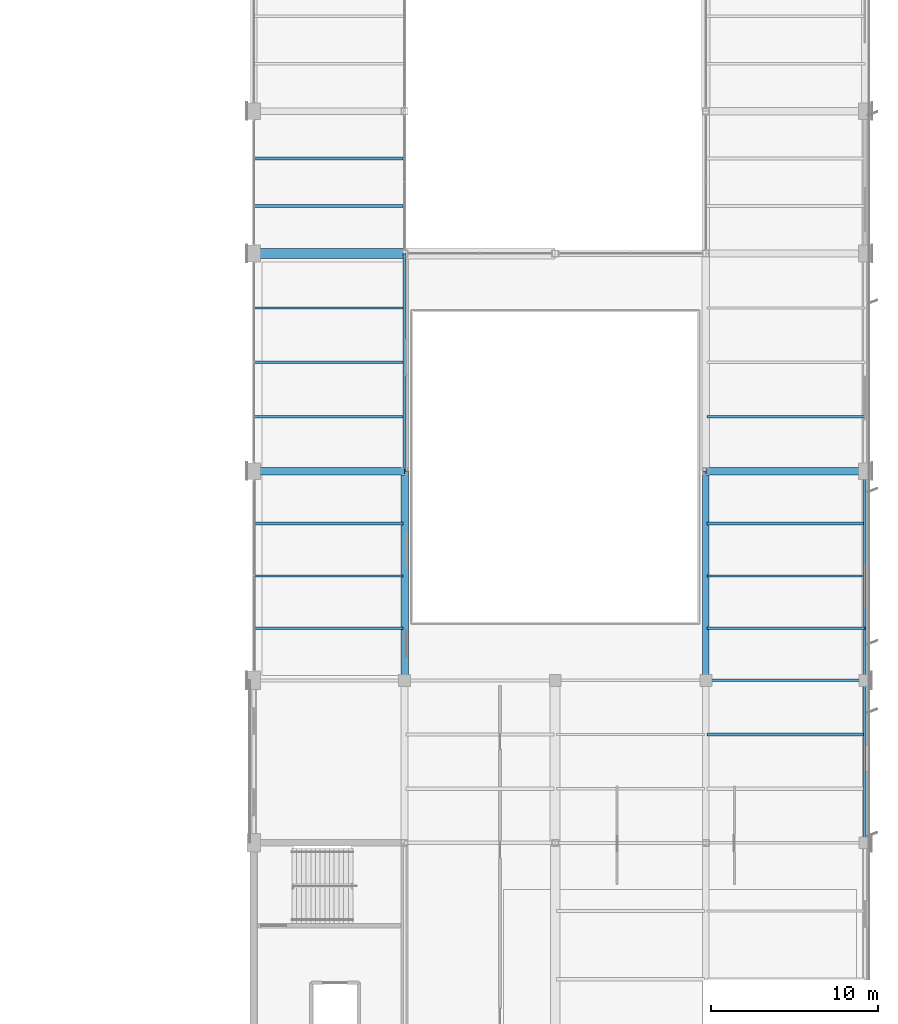
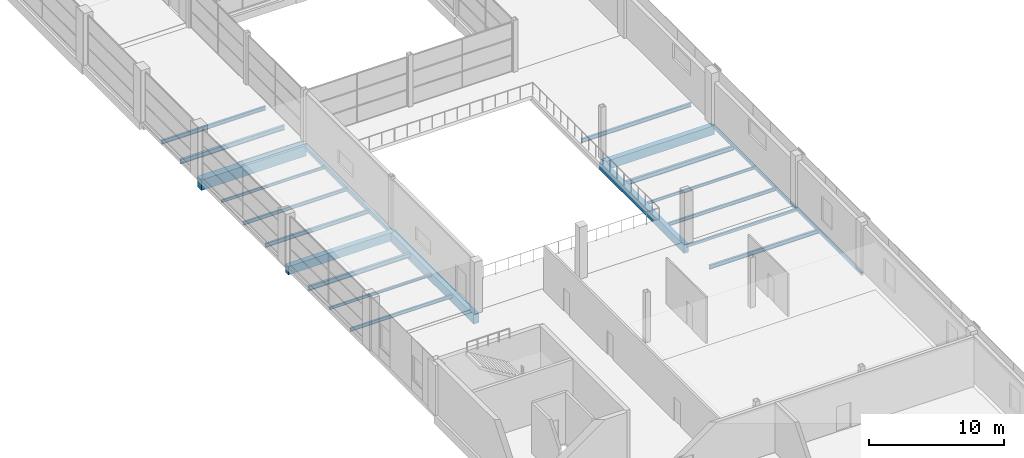
# One storey, part 64 of 112: 22 beams.
"""IFC4 building model written with IfcOpenShell, lengths in metres."""

from ifc_helpers import new_model, si_unit, direction, frame, origin, origin_2d, place, context, subcontext, project, spatial, rectangle, hollow_rectangle, i_section, extrude, material, material_profile, profile_set, type_object, element, save


model = new_model("IFC4")

# Units and contexts
model_context = context("Model", 3, precision=1e-05, world=origin(), true_north=direction((0.0, 1.0)))
body_context = subcontext(model_context, "Body", "Model", "MODEL_VIEW")
ifc_project = project(units=[si_unit("LENGTHUNIT", "METRE"), si_unit("AREAUNIT", "SQUARE_METRE"), si_unit("VOLUMEUNIT", "CUBIC_METRE"), si_unit("PLANEANGLEUNIT", "RADIAN"), si_unit("MASSUNIT", "GRAM", prefix="KILO")], contexts=[model_context])

# Site, building, storey
site_placement = place(None, origin())
site = spatial("IfcSite", under=ifc_project, at=site_placement, CompositionType="ELEMENT")
building_placement = place(site_placement, origin())
building = spatial("IfcBuilding", under=site, at=building_placement, Name="Solvikara Media Centre", CompositionType="ELEMENT")
storey_placement = place(building_placement, frame((0.0, 0.0, 5.39990234375)))
storey = spatial("IfcBuildingStorey", under=building, at=storey_placement, Name="L01", CompositionType="ELEMENT", Elevation=5.39990234375)

# Beams
ifc_material_1 = material(Name="Concrete fc' 35 MPa (C35/45)", Category="concrete")
ifc_material_profile_1 = material_profile(ifc_material_1, rectangle(XDim=0.39990234375, YDim=0.75, at=origin_2d()), Name="RC 400x750")
ifc_profile_set_1 = profile_set([ifc_material_profile_1], Name="Concrete fc' 35 MPa (C35/45)")
beam_type_1 = type_object("IfcBeamType", Name="BM-04", PredefinedType="BEAM", material=ifc_profile_set_1)
beam_1_placement = place(storey_placement, frame((154.5, 46.5, -0.6748046875), z_axis=(0.0, 1.0, 0.0), x_axis=(-1.0, 0.0, 0.0)))
element("IfcBeam", 1, at=beam_1_placement, inside=storey, type_object=beam_type_1, Name="B-L01-Y0628", PredefinedType="BEAM", context=body_context, shape_type="SweptSolid", body=[
    extrude(rectangle(XDim=0.39990234375, YDim=0.75, at=origin_2d()), origin(), (0.0, 0.0, 1.0), 12.5),
])
ifc_material_profile_2 = material_profile(ifc_material_1, rectangle(XDim=0.449951171875, YDim=0.75, at=origin_2d()), Name="RC 450x750")
ifc_profile_set_2 = profile_set([ifc_material_profile_2], Name="Concrete fc' 35 MPa (C35/45)")
beam_type_2 = type_object("IfcBeamType", Name="BM-05", PredefinedType="BEAM", material=ifc_profile_set_2)
beam_2_placement = place(storey_placement, frame((127.5, 59.0, -0.6748046875), z_axis=(1.0, 0.0, 0.0), x_axis=(0.0, 1.0, 0.0)))
element("IfcBeam", 2, at=beam_2_placement, inside=storey, type_object=beam_type_2, Name="B-L01-X0497", PredefinedType="BEAM", context=body_context, shape_type="SweptSolid", body=[
    extrude(rectangle(XDim=0.449951171875, YDim=0.75, at=origin_2d()), origin(), (0.0, 0.0, 1.0), 9.0),
])
ifc_material_profile_3 = material_profile(ifc_material_1, rectangle(XDim=0.449951171875, YDim=0.800048828125, at=origin_2d()), Name="RC 450x800")
ifc_profile_set_3 = profile_set([ifc_material_profile_3], Name="Concrete fc' 35 MPa (C35/45)")
beam_type_3 = type_object("IfcBeamType", Name="BM-06", PredefinedType="BEAM", material=ifc_profile_set_3)
beam_3_placement = place(storey_placement, frame((154.5, 59.0, -0.699951171875), z_axis=(1.0, 0.0, 0.0), x_axis=(0.0, 1.0, 0.0)))
element("IfcBeam", 3, at=beam_3_placement, inside=storey, type_object=beam_type_3, Name="B-L01-X0498", PredefinedType="BEAM", context=body_context, shape_type="SweptSolid", body=[
    extrude(rectangle(XDim=0.449951171875, YDim=0.800048828125, at=origin_2d()), origin(), (0.0, 0.0, 1.0), 9.5),
])
ifc_material_2 = material(Name="Concrete fc' 45 MPa (C45/55)", Category="concrete")
ifc_material_profile_4 = material_profile(ifc_material_2, rectangle(XDim=0.60009765625, YDim=0.949951171875, at=origin_2d()), Name="RC 600x950")
ifc_profile_set_4 = profile_set([ifc_material_profile_4], Name="Concrete fc' 45 MPa (C45/55)")
beam_type_4 = type_object("IfcBeamType", Name="BM-11", PredefinedType="BEAM", material=ifc_profile_set_4)
beam_4_placement = place(storey_placement, frame((127.5, 72.0, -0.77490234375), z_axis=(1.0, 0.0, 0.0), x_axis=(0.0, 1.0, 0.0)))
element("IfcBeam", 4, at=beam_4_placement, inside=storey, type_object=beam_type_4, Name="B-L01-X0503", PredefinedType="BEAM", context=body_context, shape_type="SweptSolid", body=[
    extrude(rectangle(XDim=0.60009765625, YDim=0.949951171875, at=origin_2d()), origin(), (0.0, 0.0, 1.0), 9.0),
])
ifc_material_profile_5 = material_profile(ifc_material_1, rectangle(XDim=0.449951171875, YDim=0.85009765625, at=origin_2d()), Name="RC 450x850")
ifc_profile_set_5 = profile_set([ifc_material_profile_5], Name="Concrete fc' 35 MPa (C35/45)")
beam_type_5 = type_object("IfcBeamType", Name="BM-14", PredefinedType="SPANDREL", material=ifc_profile_set_5)
beam_5_placement = place(storey_placement, frame((136.5, 46.5, -0.724853515625), z_axis=(0.0, 1.0, 0.0), x_axis=(-1.0, 0.0, 0.0)))
element("IfcBeam", 5, at=beam_5_placement, inside=storey, type_object=beam_type_5, Name="B-L01-Y0614", PredefinedType="SPANDREL", context=body_context, shape_type="SweptSolid", body=[
    extrude(rectangle(XDim=0.449951171875, YDim=0.85009765625, at=origin_2d()), origin(), (0.0, 0.0, 1.0), 12.5),
])
ifc_material_3 = material(Name="Steel S355JR", Category="steel")
ifc_material_profile_6 = material_profile(ifc_material_3, i_section(OverallWidth=0.199951171875, OverallDepth=0.39990234375, WebThickness=0.008056640625, FlangeThickness=0.012939453125, at=origin_2d()), Name="WF 400x200x8x13")
ifc_profile_set_6 = profile_set([ifc_material_profile_6], Name="Steel S355JR")
beam_type_6 = type_object("IfcBeamType", Name="BM-21", PredefinedType="JOIST", material=ifc_profile_set_6)
beam_6_placement = place(storey_placement, frame((127.5, 74.8330078125, -0.501953125), z_axis=(1.0, 0.0, 0.0), x_axis=(0.0, 1.0, 0.0)))
element("IfcBeam", 6, at=beam_6_placement, inside=storey, type_object=beam_type_6, Name="J-L01-0769", PredefinedType="JOIST", context=body_context, shape_type="SweptSolid", body=[
    extrude(i_section(OverallWidth=0.199951171875, OverallDepth=0.39990234375, WebThickness=0.008056640625, FlangeThickness=0.012939453125, at=origin_2d()), origin(), (0.0, 0.0, 1.0), 8.922119140625),
])
ifc_material_profile_7 = material_profile(ifc_material_3, i_section(OverallWidth=0.175048828125, OverallDepth=0.35009765625, WebThickness=0.007080078125, FlangeThickness=0.010986328125, at=origin_2d()), Name="WF 350x175x7x11")
ifc_profile_set_7 = profile_set([ifc_material_profile_7], Name="Steel S355JR")
beam_type_7 = type_object("IfcBeamType", Name="BM-22", PredefinedType="JOIST", material=ifc_profile_set_7)
beam_7_placement = place(storey_placement, frame((127.5, 77.6669921875, -0.476806640625), z_axis=(1.0, 0.0, 0.0), x_axis=(0.0, 1.0, 0.0)))
element("IfcBeam", 7, at=beam_7_placement, inside=storey, type_object=beam_type_7, Name="J-L01-0770", PredefinedType="JOIST", context=body_context, shape_type="SweptSolid", body=[
    extrude(i_section(OverallWidth=0.175048828125, OverallDepth=0.35009765625, WebThickness=0.007080078125, FlangeThickness=0.010986328125, at=origin_2d()), origin(), (0.0, 0.0, 1.0), 8.922119140625),
])
beam_8_placement = place(storey_placement, frame((154.577880859375, 43.26708984375, -0.4169921875), z_axis=(1.0, 0.0, 0.0), x_axis=(0.0, 1.0, 0.0)))
element("IfcBeam", 8, at=beam_8_placement, inside=storey, type_object=beam_type_7, Name="J-L01-0802", PredefinedType="JOIST", context=body_context, shape_type="SweptSolid", body=[
    extrude(i_section(OverallWidth=0.175048828125, OverallDepth=0.35009765625, WebThickness=0.007080078125, FlangeThickness=0.010986328125, at=origin_2d()), origin(), (0.0, 0.0, 1.0), 9.422119140625),
])
ifc_material_profile_8 = material_profile(ifc_material_3, i_section(OverallWidth=0.14990234375, OverallDepth=0.300048828125, WebThickness=0.006591796875, FlangeThickness=0.009033203125, at=origin_2d()), Name="WF 300x150x6.5x9")
ifc_profile_set_8 = profile_set([ifc_material_profile_8], Name="Steel S355JR")
beam_type_8 = type_object("IfcBeamType", Name="BM-23", PredefinedType="JOIST", material=ifc_profile_set_8)
beam_9_placement = place(storey_placement, frame((127.5, 49.625, -0.451904296875), z_axis=(1.0, 0.0, 0.0), x_axis=(0.0, 1.0, 0.0)))
element("IfcBeam", 9, at=beam_9_placement, inside=storey, type_object=beam_type_8, Name="J-L01-0763", PredefinedType="JOIST", context=body_context, shape_type="SweptSolid", body=[
    extrude(i_section(OverallWidth=0.14990234375, OverallDepth=0.300048828125, WebThickness=0.006591796875, FlangeThickness=0.009033203125, at=origin_2d()), origin(), (0.0, 0.0, 1.0), 8.922119140625),
])
beam_10_placement = place(storey_placement, frame((154.577880859375, 49.625, -0.451904296875), z_axis=(1.0, 0.0, 0.0), x_axis=(0.0, 1.0, 0.0)))
element("IfcBeam", 10, at=beam_10_placement, inside=storey, type_object=beam_type_8, Name="J-L01-0803", PredefinedType="JOIST", context=body_context, shape_type="SweptSolid", body=[
    extrude(i_section(OverallWidth=0.14990234375, OverallDepth=0.300048828125, WebThickness=0.006591796875, FlangeThickness=0.009033203125, at=origin_2d()), origin(), (0.0, 0.0, 1.0), 9.422119140625),
])
ifc_material_profile_9 = material_profile(ifc_material_3, i_section(OverallWidth=0.125, OverallDepth=0.25, WebThickness=0.006103515625, FlangeThickness=0.009033203125, at=origin_2d()), Name="WF 250x125x6x9")
ifc_profile_set_9 = profile_set([ifc_material_profile_9], Name="Steel S355JR")
beam_type_9 = type_object("IfcBeamType", Name="BM-24", PredefinedType="JOIST", material=ifc_profile_set_9)
beam_11_placement = place(storey_placement, frame((127.5, 52.75, -0.427001953125), z_axis=(1.0, 0.0, 0.0), x_axis=(0.0, 1.0, 0.0)))
element("IfcBeam", 11, at=beam_11_placement, inside=storey, type_object=beam_type_9, Name="J-L01-0764", PredefinedType="JOIST", context=body_context, shape_type="SweptSolid", body=[
    extrude(i_section(OverallWidth=0.125, OverallDepth=0.25, WebThickness=0.006103515625, FlangeThickness=0.009033203125, at=origin_2d()), origin(), (0.0, 0.0, 1.0), 8.922119140625),
])
beam_12_placement = place(storey_placement, frame((154.577880859375, 52.75, -0.427001953125), z_axis=(1.0, 0.0, 0.0), x_axis=(0.0, 1.0, 0.0)))
element("IfcBeam", 12, at=beam_12_placement, inside=storey, type_object=beam_type_9, Name="J-L01-0804", PredefinedType="JOIST", context=body_context, shape_type="SweptSolid", body=[
    extrude(i_section(OverallWidth=0.125, OverallDepth=0.25, WebThickness=0.006103515625, FlangeThickness=0.009033203125, at=origin_2d()), origin(), (0.0, 0.0, 1.0), 9.422119140625),
])
ifc_material_profile_10 = material_profile(ifc_material_3, hollow_rectangle(XDim=0.199951171875, YDim=0.39990234375, WallThickness=0.011962890625, at=origin_2d()), Name="RHS 400x200x12")
ifc_profile_set_10 = profile_set([ifc_material_profile_10], Name="Steel S355JR")
beam_type_10 = type_object("IfcBeamType", Name="BM-33", PredefinedType="SPANDREL", material=ifc_profile_set_10)
beam_13_placement = place(storey_placement, frame((136.5, 59.0, -0.501953125), z_axis=(0.0, 1.0, 0.0), x_axis=(-1.0, 0.0, 0.0)))
element("IfcBeam", 13, at=beam_13_placement, inside=storey, type_object=beam_type_10, Name="B-L01-Y0615", PredefinedType="SPANDREL", context=body_context, shape_type="SweptSolid", body=[
    extrude(hollow_rectangle(XDim=0.199951171875, YDim=0.39990234375, WallThickness=0.011962890625, at=origin_2d()), origin(), (0.0, 0.0, 1.0), 13.0),
])
ifc_material_profile_11 = material_profile(ifc_material_3, hollow_rectangle(XDim=0.14990234375, YDim=0.300048828125, WallThickness=0.010009765625, at=origin_2d()), Name="RHS 300x150x10")
ifc_profile_set_11 = profile_set([ifc_material_profile_11], Name="Steel S355JR")
beam_type_11 = type_object("IfcBeamType", Name="BM-35", PredefinedType="BEAM", material=ifc_profile_set_11)
beam_14_placement = place(storey_placement, frame((164.0, 36.800048828125, -0.391845703125), z_axis=(0.0, 1.0, 0.0), x_axis=(-1.0, 0.0, 0.0)))
element("IfcBeam", 14, at=beam_14_placement, inside=storey, type_object=beam_type_11, Name="B-L01-Y0637", PredefinedType="BEAM", context=body_context, shape_type="SweptSolid", body=[
    extrude(hollow_rectangle(XDim=0.14990234375, YDim=0.300048828125, WallThickness=0.010009765625, at=origin_2d()), origin(), (0.0, 0.0, 1.0), 9.699951171875),
])
ifc_material_profile_12 = material_profile(ifc_material_3, hollow_rectangle(XDim=0.14990234375, YDim=0.25, WallThickness=0.008056640625, at=origin_2d()), Name="RHS 250x150x8")
ifc_profile_set_12 = profile_set([ifc_material_profile_12], Name="Steel S355JR")
beam_type_12 = type_object("IfcBeamType", Name="BM-36", PredefinedType="JOIST", material=ifc_profile_set_12)
beam_15_placement = place(storey_placement, frame((154.5, 46.5, -0.427001953125), z_axis=(1.0, 0.0, 0.0), x_axis=(0.0, 1.0, 0.0)))
element("IfcBeam", 15, at=beam_15_placement, inside=storey, type_object=beam_type_12, Name="B-L01-X0492", PredefinedType="JOIST", context=body_context, shape_type="SweptSolid", body=[
    extrude(hollow_rectangle(XDim=0.14990234375, YDim=0.25, WallThickness=0.008056640625, at=origin_2d()), origin(), (0.0, 0.0, 1.0), 9.5),
])
beam_16_placement = place(storey_placement, frame((164.0, 46.5, -0.427001953125), z_axis=(0.0, 1.0, 0.0), x_axis=(-1.0, 0.0, 0.0)))
element("IfcBeam", 16, at=beam_16_placement, inside=storey, type_object=beam_type_12, Name="B-L01-Y0638", PredefinedType="JOIST", context=body_context, shape_type="SweptSolid", body=[
    extrude(hollow_rectangle(XDim=0.14990234375, YDim=0.25, WallThickness=0.008056640625, at=origin_2d()), origin(), (0.0, 0.0, 1.0), 12.5),
])
ifc_material_profile_13 = material_profile(ifc_material_3, i_section(OverallWidth=0.198974609375, OverallDepth=0.39599609375, WebThickness=0.007080078125, FlangeThickness=0.010986328125, at=origin_2d()), Name="WF 396x199x7x11")
ifc_profile_set_13 = profile_set([ifc_material_profile_13], Name="Steel S355JR")
beam_type_13 = type_object("IfcBeamType", Name="BM-37", PredefinedType="JOIST", material=ifc_profile_set_13)
beam_17_placement = place(storey_placement, frame((127.5, 55.875, -0.5), z_axis=(1.0, 0.0, 0.0), x_axis=(0.0, 1.0, 0.0)))
element("IfcBeam", 17, at=beam_17_placement, inside=storey, type_object=beam_type_13, Name="J-L01-0765", PredefinedType="JOIST", context=body_context, shape_type="SweptSolid", body=[
    extrude(i_section(OverallWidth=0.198974609375, OverallDepth=0.39599609375, WebThickness=0.007080078125, FlangeThickness=0.010986328125, at=origin_2d()), origin(), (0.0, 0.0, 1.0), 8.922119140625),
])
beam_18_placement = place(storey_placement, frame((154.577880859375, 55.875, -0.5), z_axis=(1.0, 0.0, 0.0), x_axis=(0.0, 1.0, 0.0)))
element("IfcBeam", 18, at=beam_18_placement, inside=storey, type_object=beam_type_13, Name="J-L01-0805", PredefinedType="JOIST", context=body_context, shape_type="SweptSolid", body=[
    extrude(i_section(OverallWidth=0.198974609375, OverallDepth=0.39599609375, WebThickness=0.007080078125, FlangeThickness=0.010986328125, at=origin_2d()), origin(), (0.0, 0.0, 1.0), 9.422119140625),
])
ifc_material_profile_14 = material_profile(ifc_material_3, i_section(OverallWidth=0.174072265625, OverallDepth=0.345947265625, WebThickness=0.006103515625, FlangeThickness=0.009033203125, at=origin_2d()), Name="WF 346x174x6x9")
ifc_profile_set_14 = profile_set([ifc_material_profile_14], Name="Steel S355JR")
beam_type_14 = type_object("IfcBeamType", Name="BM-38", PredefinedType="JOIST", material=ifc_profile_set_14)
beam_19_placement = place(storey_placement, frame((127.5, 62.25, -0.474853515625), z_axis=(1.0, 0.0, 0.0), x_axis=(0.0, 1.0, 0.0)))
element("IfcBeam", 19, at=beam_19_placement, inside=storey, type_object=beam_type_14, Name="J-L01-0766", PredefinedType="JOIST", context=body_context, shape_type="SweptSolid", body=[
    extrude(i_section(OverallWidth=0.174072265625, OverallDepth=0.345947265625, WebThickness=0.006103515625, FlangeThickness=0.009033203125, at=origin_2d()), origin(), (0.0, 0.0, 1.0), 8.922119140625),
])
beam_20_placement = place(storey_placement, frame((154.577880859375, 62.25, -0.474853515625), z_axis=(1.0, 0.0, 0.0), x_axis=(0.0, 1.0, 0.0)))
element("IfcBeam", 20, at=beam_20_placement, inside=storey, type_object=beam_type_14, Name="J-L01-0806", PredefinedType="JOIST", context=body_context, shape_type="SweptSolid", body=[
    extrude(i_section(OverallWidth=0.174072265625, OverallDepth=0.345947265625, WebThickness=0.006103515625, FlangeThickness=0.009033203125, at=origin_2d()), origin(), (0.0, 0.0, 1.0), 9.422119140625),
])
ifc_material_profile_15 = material_profile(ifc_material_3, i_section(OverallWidth=0.14892578125, OverallDepth=0.298095703125, WebThickness=0.005615234375, FlangeThickness=0.008056640625, at=origin_2d()), Name="WF 298x149x5.5x8")
ifc_profile_set_15 = profile_set([ifc_material_profile_15], Name="Steel S355JR")
beam_type_15 = type_object("IfcBeamType", Name="BM-39", PredefinedType="JOIST", material=ifc_profile_set_15)
beam_21_placement = place(storey_placement, frame((127.5, 65.5, -0.450927734375), z_axis=(1.0, 0.0, 0.0), x_axis=(0.0, 1.0, 0.0)))
element("IfcBeam", 21, at=beam_21_placement, inside=storey, type_object=beam_type_15, Name="J-L01-0767", PredefinedType="JOIST", context=body_context, shape_type="SweptSolid", body=[
    extrude(i_section(OverallWidth=0.14892578125, OverallDepth=0.298095703125, WebThickness=0.005615234375, FlangeThickness=0.008056640625, at=origin_2d()), origin(), (0.0, 0.0, 1.0), 8.922119140625),
])
ifc_material_profile_16 = material_profile(ifc_material_3, i_section(OverallWidth=0.1240234375, OverallDepth=0.248046875, WebThickness=0.0048828125, FlangeThickness=0.008056640625, at=origin_2d()), Name="WF 248x124x5x8")
ifc_profile_set_16 = profile_set([ifc_material_profile_16], Name="Steel S355JR")
beam_type_16 = type_object("IfcBeamType", Name="BM-40", PredefinedType="JOIST", material=ifc_profile_set_16)
beam_22_placement = place(storey_placement, frame((127.5, 68.75, -0.42578125), z_axis=(1.0, 0.0, 0.0), x_axis=(0.0, 1.0, 0.0)))
element("IfcBeam", 22, at=beam_22_placement, inside=storey, type_object=beam_type_16, Name="J-L01-0768", PredefinedType="JOIST", context=body_context, shape_type="SweptSolid", body=[
    extrude(i_section(OverallWidth=0.1240234375, OverallDepth=0.248046875, WebThickness=0.0048828125, FlangeThickness=0.008056640625, at=origin_2d()), origin(), (0.0, 0.0, 1.0), 8.922119140625),
])

save(model, "model.ifc")
